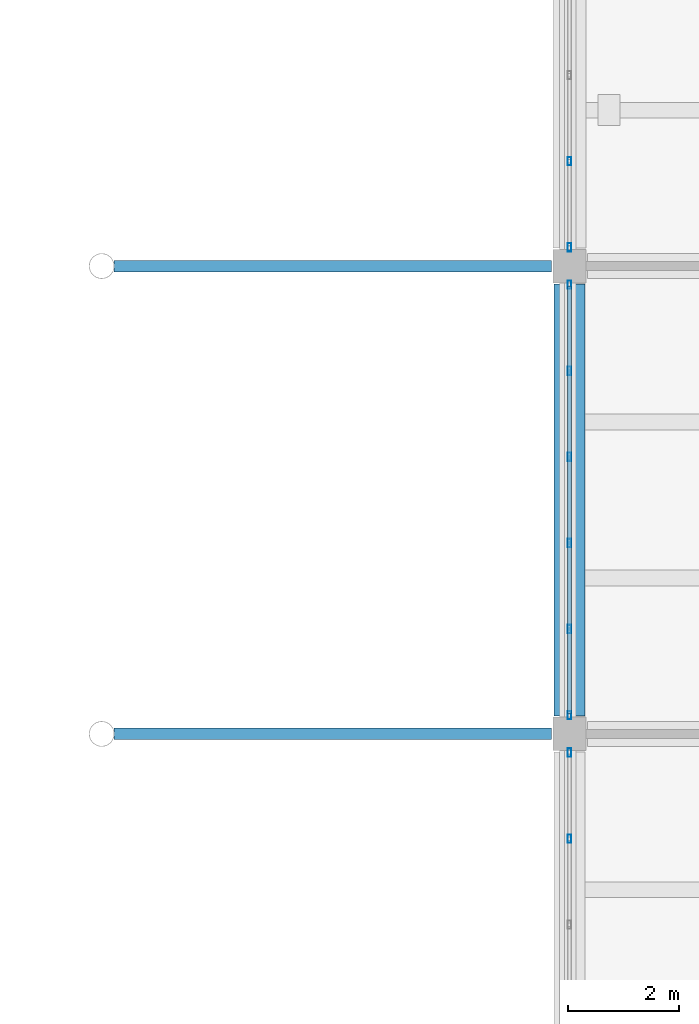
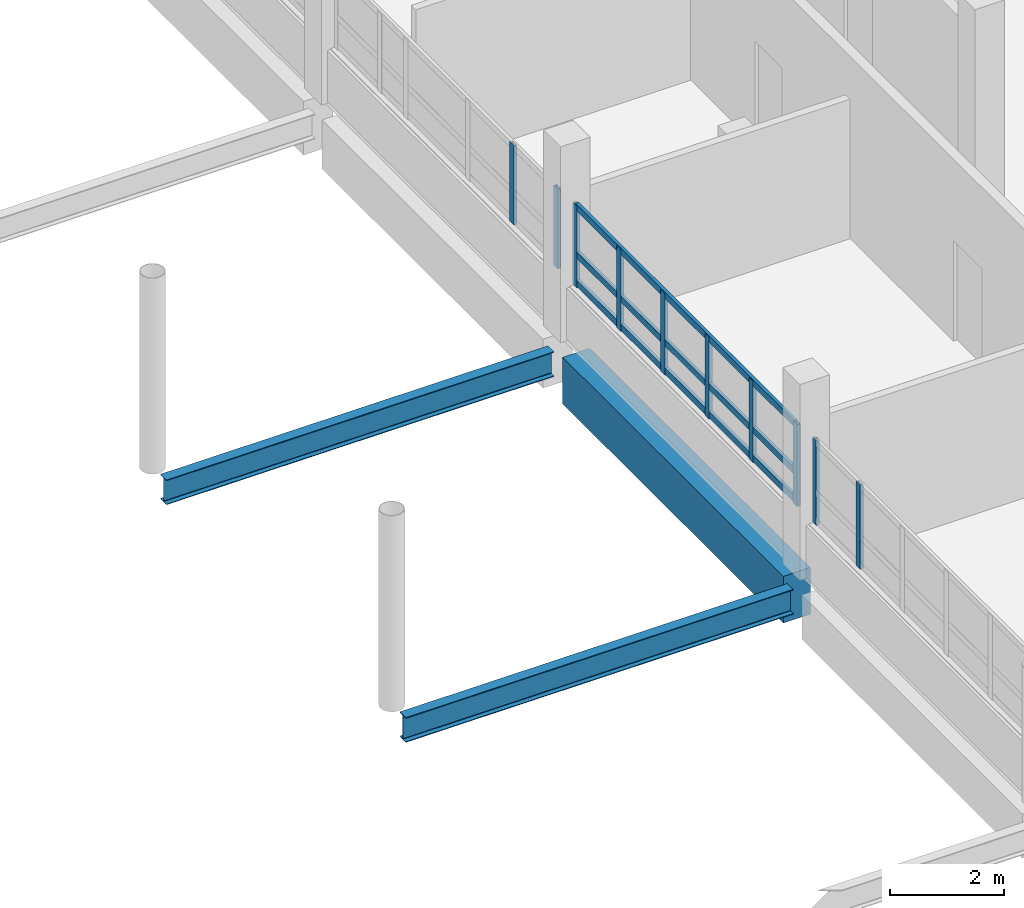
# One storey, part 38 of 130: 13 members, 3 beams, 3 elements without a shape of their own.
"""IFC4 building model written with IfcOpenShell, lengths in metres."""

from ifc_helpers import new_model, si_unit, direction, frame, origin, origin_2d, place, context, subcontext, project, spatial, rectangle, hollow_rectangle, i_section, extrude, material, layer, layer_set, material_profile, profile_set, type_object, element, aggregate, save


model = new_model("IFC4")

# Units and contexts
model_context = context("Model", 3, precision=1e-05, world=origin(), true_north=direction((0.0, 1.0)))
body_context = subcontext(model_context, "Body", "Model", "MODEL_VIEW")
ifc_project = project(units=[si_unit("LENGTHUNIT", "METRE"), si_unit("AREAUNIT", "SQUARE_METRE"), si_unit("VOLUMEUNIT", "CUBIC_METRE"), si_unit("PLANEANGLEUNIT", "RADIAN"), si_unit("MASSUNIT", "GRAM", prefix="KILO")], contexts=[model_context])

# Site, building, storey
site_placement = place(None, origin())
site = spatial("IfcSite", under=ifc_project, at=site_placement, CompositionType="ELEMENT")
building_placement = place(site_placement, origin())
building = spatial("IfcBuilding", under=site, at=building_placement, Name="Vireocrest Preparatory School", CompositionType="ELEMENT")
storey_placement = place(building_placement, frame((0.0, 0.0, 9.0)))
storey = spatial("IfcBuildingStorey", under=building, at=storey_placement, Name="L02", CompositionType="ELEMENT", Elevation=9.0)

# Curtain wall, members
ifc_material_1 = material(Name="Thermally broken aluminium EN AW-6063-T6", Category="aluminium")
ifc_layer = layer(ifc_material_1, 0.179931640625)
ifc_layer_set = layer_set([ifc_layer], Name="Thermally broken aluminium EN AW-6063-T6")
curtain_wall_type = type_object("IfcCurtainWallType", Name="Court Banded Curtain Wall 8400x3000", PredefinedType="USERDEFINED", material=ifc_layer_set)
curtain_wall_1_placement = place(storey_placement, origin())
curtain_wall_1 = element("IfcCurtainWall", 1, at=curtain_wall_1_placement, inside=storey, type_object=curtain_wall_type, Name="Curtain Wall CW02 CW_L02_CW02_0924_0357_102", ObjectType="CURTAIN WALL", PredefinedType="USERDEFINED")
ifc_material_profile_1 = material_profile(ifc_material_1, hollow_rectangle(XDim=0.06494140625, YDim=0.14990234375, WallThickness=0.00390625, at=origin_2d()), Name="ALU 65x150x4")
ifc_profile_set_1 = profile_set([ifc_material_profile_1], Name="Thermally broken aluminium EN AW-6063-T6")
member_type_1 = type_object("IfcMemberType", Name="CW Mullion 65x150x4", PredefinedType="MULLION", material=ifc_profile_set_1)
member_1_placement = place(storey_placement, frame((92.39990234375, 41.9189453125, 1.14990234375), z_axis=(0.0, 0.0, 1.0), x_axis=(1.0, 0.0, 0.0)))
member_1 = element("IfcMember", 2, at=member_1_placement, type_object=member_type_1, Name="CW Mullion ML1 CW_L02_CW02_0924_0357_102-5", PredefinedType="MULLION", context=body_context, shape_type="SweptSolid", body=[
    extrude(hollow_rectangle(XDim=0.06494140625, YDim=0.14990234375, WallThickness=0.00390625, at=origin_2d()), origin(), (0.0, 0.0, 1.0), 1.80517578125),
])
member_2_placement = place(storey_placement, frame((92.39990234375, 43.465087890625, 1.14990234375), z_axis=(0.0, 0.0, 1.0), x_axis=(1.0, 0.0, 0.0)))
member_2 = element("IfcMember", 3, at=member_2_placement, type_object=member_type_1, Name="CW Mullion ML1 CW_L02_CW02_0924_0357_102-6", PredefinedType="MULLION", context=body_context, shape_type="SweptSolid", body=[
    extrude(hollow_rectangle(XDim=0.06494140625, YDim=0.14990234375, WallThickness=0.00390625, at=origin_2d()), origin(), (0.0, 0.0, 1.0), 1.80517578125),
])
aggregate(curtain_wall_1, [member_1, member_2])

curtain_wall_2_placement = place(storey_placement, origin())
curtain_wall_2 = element("IfcCurtainWall", 4, at=curtain_wall_2_placement, inside=storey, type_object=curtain_wall_type, Name="Curtain Wall CW02 CW_L02_CW02_0924_0441_102", ObjectType="CURTAIN WALL", PredefinedType="USERDEFINED")
member_3_placement = place(storey_placement, frame((92.39990234375, 44.135009765625, 1.14990234375), z_axis=(0.0, 0.0, 1.0), x_axis=(1.0, 0.0, 0.0)))
member_3 = element("IfcMember", 5, at=member_3_placement, type_object=member_type_1, Name="CW Mullion ML1 CW_L02_CW02_0924_0441_102-1", PredefinedType="MULLION", context=body_context, shape_type="SweptSolid", body=[
    extrude(hollow_rectangle(XDim=0.06494140625, YDim=0.14990234375, WallThickness=0.00390625, at=origin_2d()), origin(), (0.0, 0.0, 1.0), 1.755126953125),
])
member_4_placement = place(storey_placement, frame((92.39990234375, 45.680908203125, 1.14990234375), z_axis=(0.0, 0.0, 1.0), x_axis=(1.0, 0.0, 0.0)))
member_4 = element("IfcMember", 6, at=member_4_placement, type_object=member_type_1, Name="CW Mullion ML1 CW_L02_CW02_0924_0441_102-2", PredefinedType="MULLION", context=body_context, shape_type="SweptSolid", body=[
    extrude(hollow_rectangle(XDim=0.06494140625, YDim=0.14990234375, WallThickness=0.00390625, at=origin_2d()), origin(), (0.0, 0.0, 1.0), 1.755126953125),
])
member_5_placement = place(storey_placement, frame((92.39990234375, 47.22705078125, 1.14990234375), z_axis=(0.0, 0.0, 1.0), x_axis=(1.0, 0.0, 0.0)))
member_5 = element("IfcMember", 7, at=member_5_placement, type_object=member_type_1, Name="CW Mullion ML1 CW_L02_CW02_0924_0441_102-3", PredefinedType="MULLION", context=body_context, shape_type="SweptSolid", body=[
    extrude(hollow_rectangle(XDim=0.06494140625, YDim=0.14990234375, WallThickness=0.00390625, at=origin_2d()), origin(), (0.0, 0.0, 1.0), 1.755126953125),
])
member_6_placement = place(storey_placement, frame((92.39990234375, 48.77294921875, 1.14990234375), z_axis=(0.0, 0.0, 1.0), x_axis=(1.0, 0.0, 0.0)))
member_6 = element("IfcMember", 8, at=member_6_placement, type_object=member_type_1, Name="CW Mullion ML1 CW_L02_CW02_0924_0441_102-4", PredefinedType="MULLION", context=body_context, shape_type="SweptSolid", body=[
    extrude(hollow_rectangle(XDim=0.06494140625, YDim=0.14990234375, WallThickness=0.00390625, at=origin_2d()), origin(), (0.0, 0.0, 1.0), 1.755126953125),
])
member_7_placement = place(storey_placement, frame((92.39990234375, 50.319091796875, 1.14990234375), z_axis=(0.0, 0.0, 1.0), x_axis=(1.0, 0.0, 0.0)))
member_7 = element("IfcMember", 9, at=member_7_placement, type_object=member_type_1, Name="CW Mullion ML1 CW_L02_CW02_0924_0441_102-5", PredefinedType="MULLION", context=body_context, shape_type="SweptSolid", body=[
    extrude(hollow_rectangle(XDim=0.06494140625, YDim=0.14990234375, WallThickness=0.00390625, at=origin_2d()), origin(), (0.0, 0.0, 1.0), 1.755126953125),
])
member_8_placement = place(storey_placement, frame((92.39990234375, 51.864990234375, 1.14990234375), z_axis=(0.0, 0.0, 1.0), x_axis=(1.0, 0.0, 0.0)))
member_8 = element("IfcMember", 10, at=member_8_placement, type_object=member_type_1, Name="CW Mullion ML1 CW_L02_CW02_0924_0441_102-6", PredefinedType="MULLION", context=body_context, shape_type="SweptSolid", body=[
    extrude(hollow_rectangle(XDim=0.06494140625, YDim=0.14990234375, WallThickness=0.00390625, at=origin_2d()), origin(), (0.0, 0.0, 1.0), 1.755126953125),
])

curtain_wall_3_placement = place(storey_placement, origin())
curtain_wall_3 = element("IfcCurtainWall", 11, at=curtain_wall_3_placement, inside=storey, type_object=curtain_wall_type, Name="Curtain Wall CW02 CW_L02_CW02_0924_0525_102", ObjectType="CURTAIN WALL", PredefinedType="USERDEFINED")
member_9_placement = place(storey_placement, frame((92.39990234375, 52.534912109375, 1.14990234375), z_axis=(0.0, 0.0, 1.0), x_axis=(1.0, 0.0, 0.0)))
member_9 = element("IfcMember", 12, at=member_9_placement, type_object=member_type_1, Name="CW Mullion ML1 CW_L02_CW02_0924_0525_102-1", PredefinedType="MULLION", context=body_context, shape_type="SweptSolid", body=[
    extrude(hollow_rectangle(XDim=0.06494140625, YDim=0.14990234375, WallThickness=0.00390625, at=origin_2d()), origin(), (0.0, 0.0, 1.0), 1.705078125),
])
member_10_placement = place(storey_placement, frame((92.39990234375, 54.0810546875, 1.14990234375), z_axis=(0.0, 0.0, 1.0), x_axis=(1.0, 0.0, 0.0)))
member_10 = element("IfcMember", 13, at=member_10_placement, type_object=member_type_1, Name="CW Mullion ML1 CW_L02_CW02_0924_0525_102-2", PredefinedType="MULLION", context=body_context, shape_type="SweptSolid", body=[
    extrude(hollow_rectangle(XDim=0.06494140625, YDim=0.14990234375, WallThickness=0.00390625, at=origin_2d()), origin(), (0.0, 0.0, 1.0), 1.705078125),
])
aggregate(curtain_wall_3, [member_9, member_10])

# Member
ifc_material_profile_2 = material_profile(ifc_material_1, hollow_rectangle(XDim=0.06494140625, YDim=0.139892578125, WallThickness=0.00390625, at=origin_2d()), Name="ALU 65x140x4")
ifc_profile_set_2 = profile_set([ifc_material_profile_2], Name="Thermally broken aluminium EN AW-6063-T6")
member_type_2 = type_object("IfcMemberType", Name="CW Transom 65x140x4", PredefinedType="USERDEFINED", material=ifc_profile_set_2)
member_11_placement = place(storey_placement, frame((92.39990234375, 44.159912109375, 1.2451171875), z_axis=(0.0, 1.0, 0.0), x_axis=(-1.0, 0.0, 0.0)))
member_11 = element("IfcMember", 14, at=member_11_placement, type_object=member_type_2, Name="CW Transom TR1 CW_L02_CW02_0924_0441_102-1", ObjectType="TRANSOM", PredefinedType="USERDEFINED", context=body_context, shape_type="SweptSolid", body=[
    extrude(hollow_rectangle(XDim=0.06494140625, YDim=0.139892578125, WallThickness=0.00390625, at=origin_2d()), origin(), (0.0, 0.0, 1.0), 7.68017578125),
])

member_12_placement = place(storey_placement, frame((92.39990234375, 44.159912109375, 1.85009765625), z_axis=(0.0, 1.0, 0.0), x_axis=(-1.0, 0.0, 0.0)))
member_12 = element("IfcMember", 15, at=member_12_placement, type_object=member_type_2, Name="CW Transom TR1 CW_L02_CW02_0924_0441_102-2", ObjectType="TRANSOM", PredefinedType="USERDEFINED", context=body_context, shape_type="SweptSolid", body=[
    extrude(hollow_rectangle(XDim=0.06494140625, YDim=0.139892578125, WallThickness=0.00390625, at=origin_2d()), origin(), (0.0, 0.0, 1.0), 7.68017578125),
])

member_13_placement = place(storey_placement, frame((92.39990234375, 44.159912109375, 2.864990234375), z_axis=(0.0, 1.0, 0.0), x_axis=(-1.0, 0.0, 0.0)))
member_13 = element("IfcMember", 16, at=member_13_placement, type_object=member_type_2, Name="CW Transom TR1 CW_L02_CW02_0924_0441_102-3", ObjectType="TRANSOM", PredefinedType="USERDEFINED", context=body_context, shape_type="SweptSolid", body=[
    extrude(hollow_rectangle(XDim=0.06494140625, YDim=0.139892578125, WallThickness=0.00390625, at=origin_2d()), origin(), (0.0, 0.0, 1.0), 7.68017578125),
])

aggregate(curtain_wall_2, [member_3, member_4, member_5, member_6, member_7, member_8, member_11, member_12, member_13])

# Beams
ifc_material_2 = material(Name="Structural steel ASTM A992 Grade 50", Category="steel")
ifc_material_profile_3 = material_profile(ifc_material_2, i_section(OverallWidth=0.208984375, OverallDepth=0.532958984375, WebThickness=0.01025390625, FlangeThickness=0.015625, FilletRadius=0.014892578125, at=origin_2d()), Name="W21X62")
ifc_profile_set_3 = profile_set([ifc_material_profile_3], Name="Structural steel ASTM A992 Grade 50")
beam_type_1 = type_object("IfcBeamType", Name="Court Tie Girder W21X62", PredefinedType="BEAM", material=ifc_profile_set_3)
for number, where, z_axis, x_axis, name in (
    (17, (84.2236328125, 43.800048828125, -0.56640625), (1.0, 0.0, 0.0), (0.0, 1.0, 0.0), "Court Trunk Lateral Tie Girder SB5 E3 L02"),
    (18, (84.2236328125, 52.199951171875, -0.56640625), (1.0, 0.0, 0.0), (0.0, 1.0, 0.0), "Court Trunk Lateral Tie Girder SB5 E4 L02"),
):
    element("IfcBeam", number, at=place(storey_placement, frame(where, z_axis=z_axis, x_axis=x_axis)), inside=storey, type_object=beam_type_1, Name=name, PredefinedType="BEAM", context=body_context, shape_type="SweptSolid", body=[
        extrude(i_section(OverallWidth=0.208984375, OverallDepth=0.532958984375, WebThickness=0.01025390625, FlangeThickness=0.015625, FilletRadius=0.014892578125, at=origin_2d()), origin(), (0.0, 0.0, 1.0), 7.8564453125),
    ])
ifc_material_3 = material(Name="Concrete 40 MPa", Category="concrete")
ifc_material_profile_4 = material_profile(ifc_material_3, rectangle(XDim=0.550048828125, YDim=1.0, at=origin_2d()), Name="RC 550x1000")
ifc_profile_set_4 = profile_set([ifc_material_profile_4], Name="Concrete 40 MPa")
beam_type_2 = type_object("IfcBeamType", Name="RC Core Coupling Beam 550x1000", PredefinedType="BEAM", material=ifc_profile_set_4)
beam_placement = place(storey_placement, frame((92.39990234375, 44.125, -0.800048828125), z_axis=(0.0, 1.0, 0.0), x_axis=(-1.0, 0.0, 0.0)))
element("IfcBeam", 19, at=beam_placement, inside=storey, type_object=beam_type_2, Name="Primary Girder B18 L02-0839", PredefinedType="BEAM", context=body_context, shape_type="SweptSolid", body=[
    extrude(rectangle(XDim=0.550048828125, YDim=1.0, at=origin_2d()), origin(), (0.0, 0.0, 1.0), 7.75),
])

save(model, "model.ifc")
